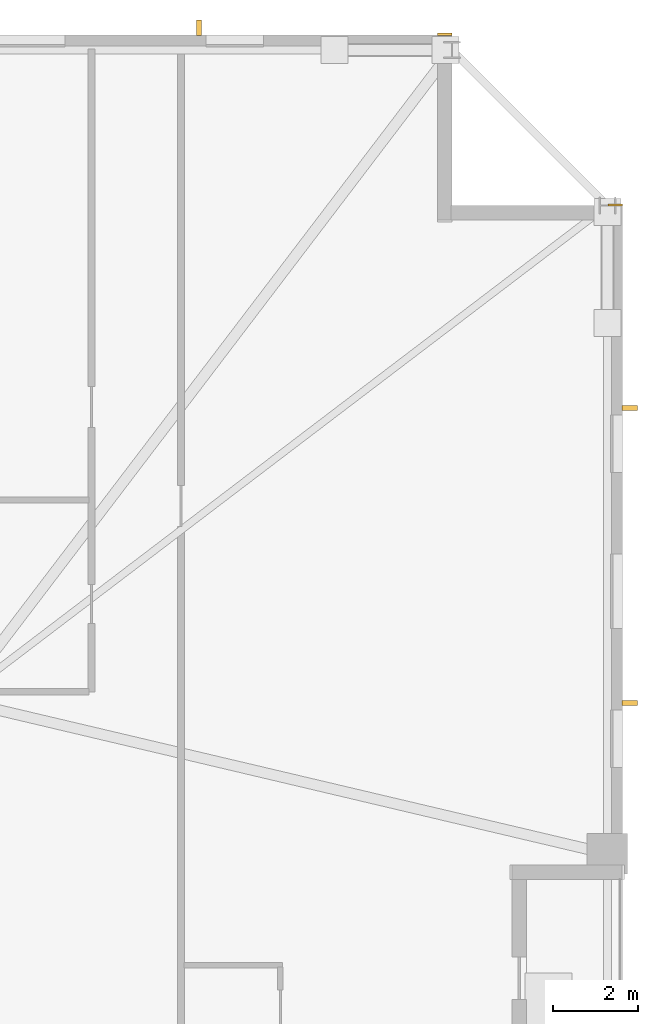
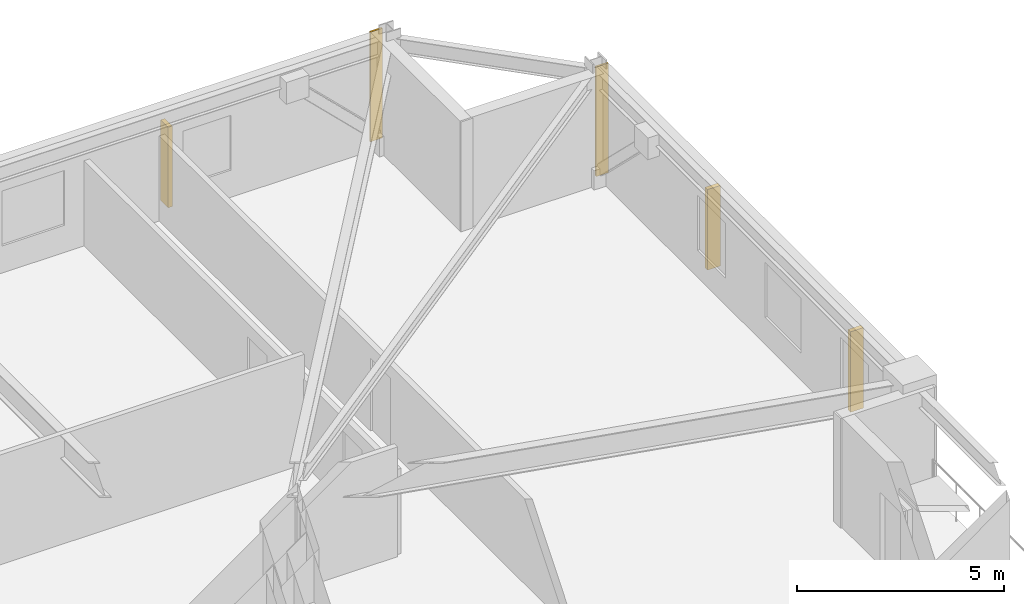
# One storey, part 11 of 11: 3 shading devices, 2 coverings.
"""IFC4 building model written with IfcOpenShell, lengths in metres."""

from ifc_helpers import new_model, si_unit, direction, frame, frame_2d, origin, origin_2d, place, context, subcontext, project, spatial, rectangle, extrude, material, layer, layer_set, type_object, element, save


model = new_model("IFC4")

# Units and contexts
model_context = context("Model", 3, precision=1e-05, world=origin(), true_north=direction((0.0, 1.0)))
body_context = subcontext(model_context, "Body", "Model", "MODEL_VIEW")
ifc_project = project(units=[si_unit("LENGTHUNIT", "METRE"), si_unit("AREAUNIT", "SQUARE_METRE"), si_unit("VOLUMEUNIT", "CUBIC_METRE"), si_unit("PLANEANGLEUNIT", "RADIAN"), si_unit("MASSUNIT", "GRAM", prefix="KILO")], contexts=[model_context])

# Site, building, storey
site_placement = place(None, origin())
site = spatial("IfcSite", under=ifc_project, at=site_placement, CompositionType="ELEMENT")
building_placement = place(site_placement, origin())
building = spatial("IfcBuilding", under=site, at=building_placement, Name="Cairnveth Concourse Tower", CompositionType="ELEMENT")
storey_placement = place(building_placement, frame((0.0, 0.0, 190.0)))
storey = spatial("IfcBuildingStorey", under=building, at=storey_placement, Name="L52", CompositionType="ELEMENT", Elevation=190.0)

# Coverings
ifc_material_1 = material(Name="Dressed Melbourne Bluestone Cladding", Category="masonry")
ifc_layer = layer(ifc_material_1, 0.050048828125)
ifc_layer_set = layer_set([ifc_layer], Name="Dressed Melbourne Bluestone Cladding")
covering_type = type_object("IfcCoveringType", Name="DRESSED BLUESTONE PLINTH CLADDING 50", PredefinedType="CLADDING", material=ifc_layer_set)
for number, where, z_axis, x_axis, name in (
    (1, (71.659912109375, 63.02001953125, 0.0), (0.0, 0.0, 1.0), (1.0, 0.0, 0.0), "Melbourne Bluestone Corner Quoin L52-781"),
    (2, (75.659912109375, 59.02001953125, 0.0), (0.0, 0.0, 1.0), (1.0, 0.0, 0.0), "Melbourne Bluestone Corner Quoin L52-783"),
):
    element("IfcCovering", number, at=place(storey_placement, frame(where, z_axis=z_axis, x_axis=x_axis)), inside=storey, type_object=covering_type, Name=name, PredefinedType="CLADDING", context=body_context, shape_type="SweptSolid", body=[
        extrude(rectangle(XDim=0.340087890625, YDim=0.050048828125, at=frame_2d((0.169921875, 0.0))), origin(), (0.0, 0.0, 1.0), 3.239990234375),
    ])

# Shading devices
ifc_material_2 = material(Name="Architectural Bronze Anodised Aluminium 6063-T6", Category="aluminium")
shading_device_type = type_object("IfcShadingDeviceType", Name="GOTHIC BRONZE VERTICAL LANCET FIN", PredefinedType="USERDEFINED", material=ifc_material_2)
for number, where, z_axis, x_axis, name in (
    (3, (66.0703125, 63.175048828125, 0.030029296875), (0.0, 0.0, 1.0), (1.0, 0.0, 0.0), "Gothic Bronze Vertical Fin L52-9-9"),
    (4, (76.175048828125, 54.254638671875, 0.030029296875), (0.0, 0.0, 1.0), (0.0, 1.0, 0.0), "Gothic Bronze Vertical Fin L52-12-1"),
    (5, (76.175048828125, 47.333251953125, 0.030029296875), (0.0, 0.0, 1.0), (0.0, 1.0, 0.0), "Gothic Bronze Vertical Fin L52-12-3"),
):
    element("IfcShadingDevice", number, at=place(storey_placement, frame(where, z_axis=z_axis, x_axis=x_axis)), inside=storey, type_object=shading_device_type, Name=name, ObjectType="VERTICAL FIN", PredefinedType="USERDEFINED", context=body_context, shape_type="SweptSolid", body=[
        extrude(rectangle(XDim=0.1201171875, YDim=0.360107421875, at=origin_2d()), origin(), (0.0, 0.0, 1.0), 2.3798828125),
    ])

save(model, "model.ifc")
